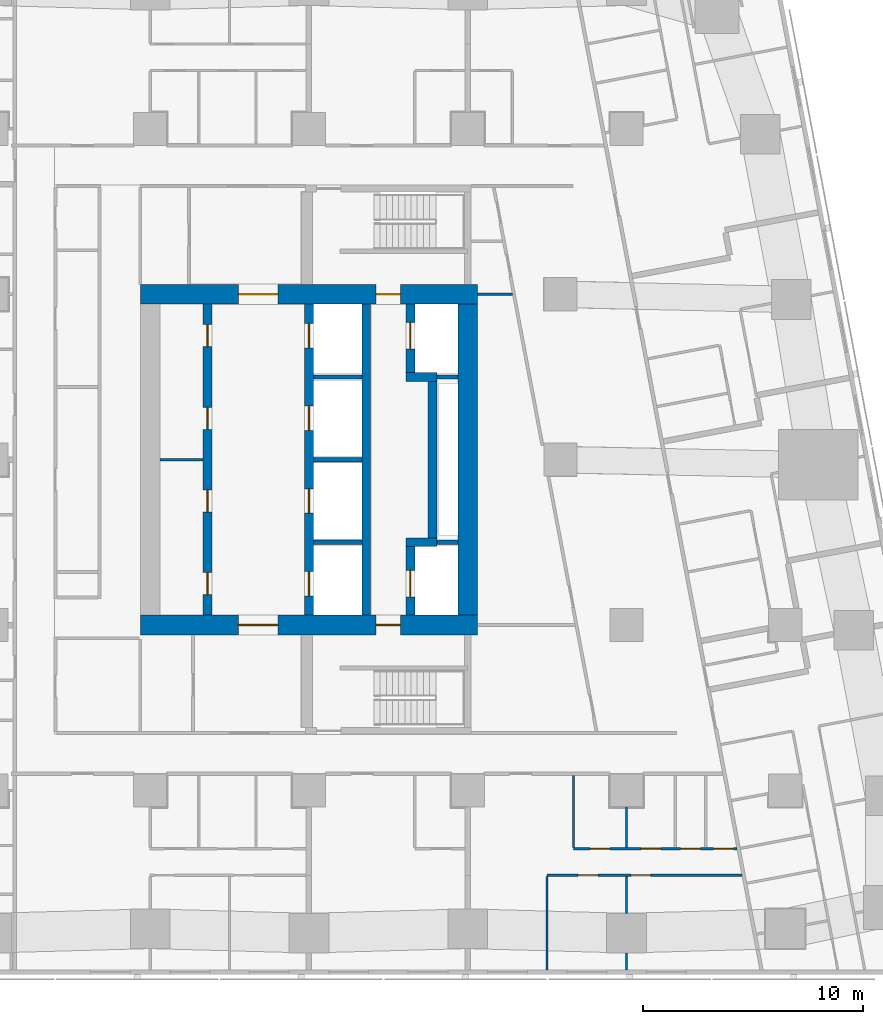
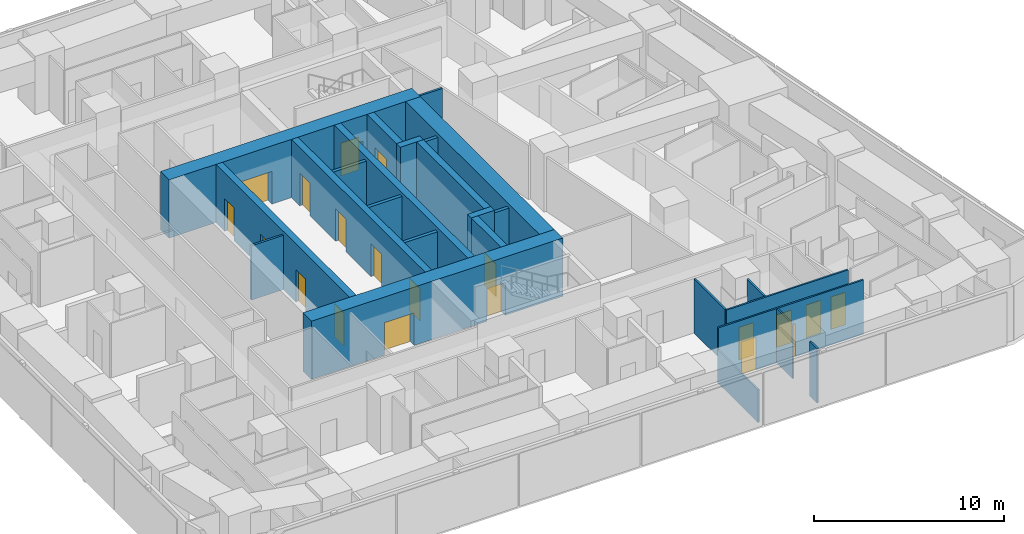
# One storey, part 5 of 15: 25 walls, 20 doors, 20 openings.
"""IFC4 building model written with IfcOpenShell, lengths in metres."""

import ifcopenshell
import ifcopenshell.guid

model = None  # the IFC model being written
_history = None  # IfcOwnerHistory: only IFC2X3 demands one
_inside = {}  # id of a spatial element -> (the spatial element, [elements in it])
_under = {}  # id of a project, library or spatial element -> (it, [spatial elements below it])
_declared = {}  # id of a project -> (the project, [libraries it declares])
_typed = {}  # id of a type object -> (the type object, [elements of that type])
_made_of = {}  # id of a material, layer set ... -> (it, [elements and type objects made of it])


def new_model(schema):
    """Start an empty IFC model of exactly this schema.

    Asked for "IFC4X3", IfcOpenShell would pick the latest addendum, in which some entities
    have other attributes; the version numbers below select the first issue.
    IFC2X3 requires an IfcOwnerHistory on every rooted entity: one is made here for all.
    """
    global model, _history
    if schema == "IFC4X3":
        model = ifcopenshell.file(schema_version=(4, 3, 0, 0))
    else:
        model = ifcopenshell.file(schema=schema)
    _inside.clear()
    _under.clear()
    _declared.clear()
    _typed.clear()
    _made_of.clear()
    _history = None
    if model.schema == "IFC2X3":
        org = make("IfcOrganization", Name="unknown")
        user = make(
            "IfcPersonAndOrganization",
            ThePerson=make("IfcPerson", FamilyName="unknown"),
            TheOrganization=org,
        )
        app = make(
            "IfcApplication",
            ApplicationDeveloper=org,
            Version="unknown",
            ApplicationFullName="unknown",
            ApplicationIdentifier="unknown",
        )
        _history = make(
            "IfcOwnerHistory",
            OwningUser=user,
            OwningApplication=app,
            ChangeAction="ADDED",
            CreationDate=0,
        )
    return model


def make(cls, **values):
    """One entity of the class cls with the attributes given. An attribute that is None is left unset."""
    return model.create_entity(
        cls, **{name: value for name, value in values.items() if value is not None}
    )


def rooted(cls, **values):
    """An entity with a GlobalId (a new one), such as an element, a storey or a relation."""
    return make(cls, GlobalId=ifcopenshell.guid.new(), OwnerHistory=_history, **values)


def si_unit(unit_type, name, prefix=None):
    """IfcSIUnit, for example si_unit("LENGTHUNIT", "METRE", prefix="MILLI")."""
    return make("IfcSIUnit", UnitType=unit_type, Prefix=prefix, Name=name)


def assignment(units):
    """IfcUnitAssignment: the units of a project."""
    return None if units is None else make("IfcUnitAssignment", Units=units)


def point(xyz):
    """IfcCartesianPoint."""
    return None if xyz is None else make("IfcCartesianPoint", Coordinates=xyz)


def direction(xyz):
    """IfcDirection."""
    return None if xyz is None else make("IfcDirection", DirectionRatios=xyz)


def frame(location, z_axis=None, x_axis=None):
    """IfcAxis2Placement3D, a coordinate frame: its origin and axes. An axis left out is left unset."""
    return make(
        "IfcAxis2Placement3D",
        Location=point(location),
        Axis=direction(z_axis),
        RefDirection=direction(x_axis),
    )


def frame_2d(location, x_axis=None):
    """IfcAxis2Placement2D, a coordinate frame in the plane: its origin and x axis."""
    return make(
        "IfcAxis2Placement2D", Location=point(location), RefDirection=direction(x_axis)
    )


def origin():
    """The frame at (0, 0, 0) with its axes left unset."""
    return frame((0.0, 0.0, 0.0))


def place(relative_to, where):
    """IfcLocalPlacement: puts the frame where relative to a parent placement (None: the world)."""
    return make(
        "IfcLocalPlacement", PlacementRelTo=relative_to, RelativePlacement=where
    )


def context(
    kind, dimensions, precision=None, world=None, true_north=None, identifier=None
):
    """IfcGeometricRepresentationContext, for example the 3D "Model" context."""
    return make(
        "IfcGeometricRepresentationContext",
        ContextIdentifier=identifier,
        ContextType=kind,
        CoordinateSpaceDimension=dimensions,
        Precision=precision,
        WorldCoordinateSystem=world,
        TrueNorth=true_north,
    )


def subcontext(parent, identifier, kind, view, scale=None):
    """IfcGeometricRepresentationSubContext, for example "Body" below "Model"."""
    return make(
        "IfcGeometricRepresentationSubContext",
        ContextIdentifier=identifier,
        ContextType=kind,
        ParentContext=parent,
        TargetScale=scale,
        TargetView=view,
    )


def project(units=None, contexts=None):
    """IfcProject with its units and contexts."""
    return rooted(
        "IfcProject",
        Name="project",
        RepresentationContexts=contexts,
        UnitsInContext=assignment(units),
    )


def spatial(cls, under=None, at=None, **own):
    """A site, building, storey or space (cls), placed at a placement, below another one or the project."""
    s = rooted(cls, ObjectPlacement=at, **own)
    if under is not None:
        _under.setdefault(under.id(), (under, []))[1].append(s)
    return s


def profile(cls, at=None, kind="AREA", **sizes):
    """A parametric profile (cls). Its sizes go by their IFC names, for example OverallWidth=200.0."""
    return make(cls, ProfileType=kind, Position=at, **sizes)


def rectangle(**sizes):
    """IfcRectangleProfileDef."""
    return profile("IfcRectangleProfileDef", **sizes)


def extrude(swept, where, along, depth):
    """IfcExtrudedAreaSolid: the profile swept, set in the frame where, extruded along a direction by depth."""
    return make(
        "IfcExtrudedAreaSolid",
        SweptArea=swept,
        Position=where,
        ExtrudedDirection=direction(along),
        Depth=depth,
    )


def shape(context_of_items, identifier, shape_type, items):
    """IfcShapeRepresentation: the items that make up one representation, for example the "Body"."""
    return make(
        "IfcShapeRepresentation",
        ContextOfItems=context_of_items,
        RepresentationIdentifier=identifier,
        RepresentationType=shape_type,
        Items=items,
    )


def material(Name=None, Category=None):
    """IfcMaterial."""
    return make("IfcMaterial", Name=Name, Category=Category)


def layer(
    of_material, thickness, ventilated=None, Name=None, Category=None, Priority=None
):
    """IfcMaterialLayer: one layer of a wall or slab, of a material (None: an air gap)."""
    return make(
        "IfcMaterialLayer",
        Material=of_material,
        LayerThickness=thickness,
        IsVentilated=ventilated,
        Name=Name,
        Category=Category,
        Priority=Priority,
    )


def layer_set(layers, Name=None):
    """IfcMaterialLayerSet."""
    return make("IfcMaterialLayerSet", MaterialLayers=layers, LayerSetName=Name)


def made_of(thing, what):
    """Note that an element or type object is made of a material, layer set ...; save() writes the relation."""
    if what is not None:
        _made_of.setdefault(what.id(), (what, []))[1].append(thing)
    return thing


def type_object(cls, material=None, **own):
    """A type object (cls), such as IfcWallType, which elements share."""
    return made_of(rooted(cls, **own), material)


def element(
    cls,
    number,
    at=None,
    inside=None,
    cuts=None,
    type_object=None,
    material=None,
    context=None,
    identifier="Body",
    shape_type=None,
    held_by="IfcProductDefinitionShape",
    body=None,
    shapes=None,
    **own,
):
    """One element of the class cls, such as IfcWall. Its Tag is "e" and its number.

    at: its placement. inside: the storey or other place that contains it. cuts: it is an
    opening in that element (IfcRelVoidsElement). A single representation is given by context,
    identifier, shape_type and body (its items); several are given by shapes. held_by: the class
    of the entity that holds the representations. save() writes the other relations.
    """
    e = rooted(cls, Tag="e%d" % number, ObjectPlacement=at, **own)
    if body is not None:
        shapes = [shape(context, identifier, shape_type, body)]
    if shapes is not None:
        e.Representation = make(held_by, Representations=shapes)
    if inside is not None:
        _inside.setdefault(inside.id(), (inside, []))[1].append(e)
    if cuts is not None:
        rooted(
            "IfcRelVoidsElement", RelatingBuildingElement=cuts, RelatedOpeningElement=e
        )
    if type_object is not None:
        _typed.setdefault(type_object.id(), (type_object, []))[1].append(e)
    return made_of(e, material)


def fill(opening, filler):
    """IfcRelFillsElement: the door or window that sits in an opening."""
    return rooted(
        "IfcRelFillsElement",
        RelatingOpeningElement=opening,
        RelatedBuildingElement=filler,
    )


def aggregate(whole, parts):
    """IfcRelAggregates: a whole, such as a stair, and the parts it consists of."""
    return rooted("IfcRelAggregates", RelatingObject=whole, RelatedObjects=parts)


def save(model, path):
    """Write the relations noted so far, then the file.

    IfcRelAggregates (storeys below a building ...), IfcRelContainedInSpatialStructure (elements
    in a storey), IfcRelDefinesByType, IfcRelAssociatesMaterial and IfcRelDeclares: one each for
    every whole, place, type object, material and project.
    """
    for whole, parts in _under.values():
        aggregate(whole, parts)
    for where, things in _inside.values():
        rooted(
            "IfcRelContainedInSpatialStructure",
            RelatedElements=things,
            RelatingStructure=where,
        )
    for kind, things in _typed.values():
        rooted("IfcRelDefinesByType", RelatedObjects=things, RelatingType=kind)
    for what, things in _made_of.values():
        rooted("IfcRelAssociatesMaterial", RelatedObjects=things, RelatingMaterial=what)
    for by, libraries in _declared.values():
        rooted("IfcRelDeclares", RelatingContext=by, RelatedDefinitions=libraries)
    model.write(path)


model = new_model("IFC4")

# Units and contexts
model_context = context("Model", 3, precision=1e-05, world=origin(), true_north=direction((0.0, 1.0)))
body_context = subcontext(model_context, "Body", "Model", "MODEL_VIEW")
ifc_project = project(units=[si_unit("LENGTHUNIT", "METRE"), si_unit("AREAUNIT", "SQUARE_METRE"), si_unit("VOLUMEUNIT", "CUBIC_METRE"), si_unit("PLANEANGLEUNIT", "RADIAN"), si_unit("MASSUNIT", "GRAM", prefix="KILO")], contexts=[model_context])

# Site, building, storey
site_placement = place(None, origin())
site = spatial("IfcSite", under=ifc_project, at=site_placement, CompositionType="ELEMENT")
building_placement = place(site_placement, origin())
building = spatial("IfcBuilding", under=site, at=building_placement, Name="Sheger Commons Tower", CompositionType="ELEMENT")
storey_placement = place(building_placement, frame((0.0, 0.0, 169.550048828125)))
storey = spatial("IfcBuildingStorey", under=building, at=storey_placement, Name="L43", CompositionType="ELEMENT", Elevation=169.550048828125)

# Wall, openings, doors
ifc_material_1 = material(Name="Concrete C50/60", Category="concrete")
ifc_layer_1 = layer(ifc_material_1, 0.39990234375)
ifc_layer_set_1 = layer_set([ifc_layer_1], Name="CORE INNER WALL 400")
wall_type_1 = type_object("IfcWallType", Name="CORE INNER WALL 400", PredefinedType="SHEAR", material=ifc_layer_set_1)
wall_1_placement = place(storey_placement, frame((17.0, 15.449951171875, 0.0), z_axis=(0.0, 0.0, 1.0), x_axis=(0.0, 1.0, 0.0)))
wall_1 = element("IfcWall", 1, at=wall_1_placement, inside=storey, type_object=wall_type_1, Name="Core inner wall A L43", PredefinedType="SHEAR", context=body_context, shape_type="SweptSolid", body=[
    extrude(rectangle(XDim=14.10009765625, YDim=0.39990234375, at=frame_2d((7.050048828125, 0.0))), origin(), (0.0, 0.0, 1.0), 3.75),
])
opening_1_placement = place(wall_1_placement, frame((0.925048828125, 0.0, 0.0)))
opening_1 = element("IfcOpeningElement", 2, at=opening_1_placement, cuts=wall_1, Name="Opening D4", PredefinedType="OPENING", context=body_context, shape_type="SweptSolid", body=[
    extrude(rectangle(XDim=1.0, YDim=2.10009765625, at=frame_2d((0.5, 1.050048828125))), frame((0.0, 0.2099609375, 0.0), z_axis=(0.0, -1.0, 0.0), x_axis=(1.0, 0.0, 0.0)), (0.0, 0.0, 1.0), 0.419921875),
])
opening_2_placement = place(wall_1_placement, frame((4.675048828125, 0.0, 0.0)))
opening_2 = element("IfcOpeningElement", 3, at=opening_2_placement, cuts=wall_1, Name="Opening D4", PredefinedType="OPENING", context=body_context, shape_type="SweptSolid", body=[
    extrude(rectangle(XDim=1.0, YDim=2.10009765625, at=frame_2d((0.5, 1.050048828125))), frame((0.0, 0.2099609375, 0.0), z_axis=(0.0, -1.0, 0.0), x_axis=(1.0, 0.0, 0.0)), (0.0, 0.0, 1.0), 0.419921875),
])
opening_3_placement = place(wall_1_placement, frame((8.425048828125, 0.0, 0.0)))
opening_3 = element("IfcOpeningElement", 4, at=opening_3_placement, cuts=wall_1, Name="Opening D4", PredefinedType="OPENING", context=body_context, shape_type="SweptSolid", body=[
    extrude(rectangle(XDim=1.0, YDim=2.10009765625, at=frame_2d((0.5, 1.050048828125))), frame((0.0, 0.2099609375, 0.0), z_axis=(0.0, -1.0, 0.0), x_axis=(1.0, 0.0, 0.0)), (0.0, 0.0, 1.0), 0.419921875),
])
opening_4_placement = place(wall_1_placement, frame((12.175048828125, 0.0, 0.0)))
opening_4 = element("IfcOpeningElement", 5, at=opening_4_placement, cuts=wall_1, Name="Opening D4", PredefinedType="OPENING", context=body_context, shape_type="SweptSolid", body=[
    extrude(rectangle(XDim=1.0, YDim=2.10009765625, at=frame_2d((0.5, 1.050048828125))), frame((0.0, 0.2099609375, 0.0), z_axis=(0.0, -1.0, 0.0), x_axis=(1.0, 0.0, 0.0)), (0.0, 0.0, 1.0), 0.419921875),
])
ifc_material_2 = material(Name="Steel door set, fire rated", Category="steel")
door_type_1 = type_object("IfcDoorType", Name="SERVICE DOOR 1000x2100", OperationType="NOTDEFINED", PredefinedType="DOOR", material=ifc_material_2)
door_1_placement = place(opening_1_placement, origin())
door_1 = element("IfcDoor", 6, at=door_1_placement, inside=storey, type_object=door_type_1, Name="Estate store door", OperationType="SINGLE_SWING_LEFT", OverallHeight=2.10009765625, OverallWidth=1.0, PredefinedType="DOOR", context=body_context, shape_type="SweptSolid", body=[
    extrude(rectangle(XDim=1.0, YDim=2.10009765625, at=frame_2d((0.5, 1.050048828125))), frame((0.0, 0.02490234375, 0.0), z_axis=(0.0, -1.0, 0.0), x_axis=(1.0, 0.0, 0.0)), (0.0, 0.0, 1.0), 0.050048828125),
])
fill(opening_1, door_1)
door_2_placement = place(opening_2_placement, origin())
door_2 = element("IfcDoor", 7, at=door_2_placement, inside=storey, type_object=door_type_1, Name="Estate store door", OperationType="SINGLE_SWING_RIGHT", OverallHeight=2.10009765625, OverallWidth=1.0, PredefinedType="DOOR", context=body_context, shape_type="SweptSolid", body=[
    extrude(rectangle(XDim=1.0, YDim=2.10009765625, at=frame_2d((0.5, 1.050048828125))), frame((0.0, 0.02490234375, 0.0), z_axis=(0.0, -1.0, 0.0), x_axis=(1.0, 0.0, 0.0)), (0.0, 0.0, 1.0), 0.050048828125),
])
fill(opening_2, door_2)
door_3_placement = place(opening_3_placement, origin())
door_3 = element("IfcDoor", 8, at=door_3_placement, inside=storey, type_object=door_type_1, Name="Electrical switch room door", OperationType="SINGLE_SWING_LEFT", OverallHeight=2.10009765625, OverallWidth=1.0, PredefinedType="DOOR", context=body_context, shape_type="SweptSolid", body=[
    extrude(rectangle(XDim=1.0, YDim=2.10009765625, at=frame_2d((0.5, 1.050048828125))), frame((0.0, 0.02490234375, 0.0), z_axis=(0.0, -1.0, 0.0), x_axis=(1.0, 0.0, 0.0)), (0.0, 0.0, 1.0), 0.050048828125),
])
fill(opening_3, door_3)
door_4_placement = place(opening_4_placement, origin())
door_4 = element("IfcDoor", 9, at=door_4_placement, inside=storey, type_object=door_type_1, Name="Electrical switch room door", OperationType="SINGLE_SWING_RIGHT", OverallHeight=2.10009765625, OverallWidth=1.0, PredefinedType="DOOR", context=body_context, shape_type="SweptSolid", body=[
    extrude(rectangle(XDim=1.0, YDim=2.10009765625, at=frame_2d((0.5, 1.050048828125))), frame((0.0, 0.02490234375, 0.0), z_axis=(0.0, -1.0, 0.0), x_axis=(1.0, 0.0, 0.0)), (0.0, 0.0, 1.0), 0.050048828125),
])
fill(opening_4, door_4)

wall_2_placement = place(storey_placement, frame((21.60009765625, 15.449951171875, 0.0), z_axis=(0.0, 0.0, 1.0), x_axis=(0.0, 1.0, 0.0)))
wall_2 = element("IfcWall", 10, at=wall_2_placement, inside=storey, type_object=wall_type_1, Name="Core inner wall L L43", PredefinedType="SHEAR", context=body_context, shape_type="SweptSolid", body=[
    extrude(rectangle(XDim=14.10009765625, YDim=0.39990234375, at=frame_2d((7.050048828125, 0.0))), origin(), (0.0, 0.0, 1.0), 3.75),
])
opening_5_placement = place(wall_2_placement, frame((0.875, 0.0, 0.0)))
opening_5 = element("IfcOpeningElement", 11, at=opening_5_placement, cuts=wall_2, Name="Opening LD", PredefinedType="OPENING", context=body_context, shape_type="SweptSolid", body=[
    extrude(rectangle(XDim=1.10009765625, YDim=2.10009765625, at=frame_2d((0.550048828125, 1.050048828125))), frame((0.0, 0.2099609375, 0.0), z_axis=(0.0, -1.0, 0.0), x_axis=(1.0, 0.0, 0.0)), (0.0, 0.0, 1.0), 0.419921875),
])
opening_6_placement = place(wall_2_placement, frame((4.625, 0.0, 0.0)))
opening_6 = element("IfcOpeningElement", 12, at=opening_6_placement, cuts=wall_2, Name="Opening LD", PredefinedType="OPENING", context=body_context, shape_type="SweptSolid", body=[
    extrude(rectangle(XDim=1.10009765625, YDim=2.10009765625, at=frame_2d((0.550048828125, 1.050048828125))), frame((0.0, 0.2099609375, 0.0), z_axis=(0.0, -1.0, 0.0), x_axis=(1.0, 0.0, 0.0)), (0.0, 0.0, 1.0), 0.419921875),
])
opening_7_placement = place(wall_2_placement, frame((8.375, 0.0, 0.0)))
opening_7 = element("IfcOpeningElement", 13, at=opening_7_placement, cuts=wall_2, Name="Opening LD", PredefinedType="OPENING", context=body_context, shape_type="SweptSolid", body=[
    extrude(rectangle(XDim=1.10009765625, YDim=2.10009765625, at=frame_2d((0.550048828125, 1.050048828125))), frame((0.0, 0.2099609375, 0.0), z_axis=(0.0, -1.0, 0.0), x_axis=(1.0, 0.0, 0.0)), (0.0, 0.0, 1.0), 0.419921875),
])
opening_8_placement = place(wall_2_placement, frame((12.125, 0.0, 0.0)))
opening_8 = element("IfcOpeningElement", 14, at=opening_8_placement, cuts=wall_2, Name="Opening LD", PredefinedType="OPENING", context=body_context, shape_type="SweptSolid", body=[
    extrude(rectangle(XDim=1.10009765625, YDim=2.10009765625, at=frame_2d((0.550048828125, 1.050048828125))), frame((0.0, 0.2099609375, 0.0), z_axis=(0.0, -1.0, 0.0), x_axis=(1.0, 0.0, 0.0)), (0.0, 0.0, 1.0), 0.419921875),
])
ifc_material_3 = material(Name="Steel door set, fire rated", Category="steel")
door_type_2 = type_object("IfcDoorType", Name="LIFT LANDING DOOR 1100x2100", OperationType="DOUBLE_DOOR_SLIDING", PredefinedType="DOOR", material=ifc_material_3)
door_5_placement = place(opening_5_placement, origin())
door_5 = element("IfcDoor", 15, at=door_5_placement, inside=storey, type_object=door_type_2, Name="Lift LB1 landing door", OperationType="DOUBLE_DOOR_SLIDING", OverallHeight=2.10009765625, OverallWidth=1.10009765625, PredefinedType="DOOR", context=body_context, shape_type="SweptSolid", body=[
    extrude(rectangle(XDim=1.10009765625, YDim=2.10009765625, at=frame_2d((0.550048828125, 1.050048828125))), frame((0.0, 0.02490234375, 0.0), z_axis=(0.0, -1.0, 0.0), x_axis=(1.0, 0.0, 0.0)), (0.0, 0.0, 1.0), 0.050048828125),
])
fill(opening_5, door_5)
door_6_placement = place(opening_6_placement, origin())
door_6 = element("IfcDoor", 16, at=door_6_placement, inside=storey, type_object=door_type_2, Name="Lift LB2 landing door", OperationType="DOUBLE_DOOR_SLIDING", OverallHeight=2.10009765625, OverallWidth=1.10009765625, PredefinedType="DOOR", context=body_context, shape_type="SweptSolid", body=[
    extrude(rectangle(XDim=1.10009765625, YDim=2.10009765625, at=frame_2d((0.550048828125, 1.050048828125))), frame((0.0, 0.02490234375, 0.0), z_axis=(0.0, -1.0, 0.0), x_axis=(1.0, 0.0, 0.0)), (0.0, 0.0, 1.0), 0.050048828125),
])
fill(opening_6, door_6)
door_7_placement = place(opening_7_placement, origin())
door_7 = element("IfcDoor", 17, at=door_7_placement, inside=storey, type_object=door_type_2, Name="Lift LB3 landing door", OperationType="DOUBLE_DOOR_SLIDING", OverallHeight=2.10009765625, OverallWidth=1.10009765625, PredefinedType="DOOR", context=body_context, shape_type="SweptSolid", body=[
    extrude(rectangle(XDim=1.10009765625, YDim=2.10009765625, at=frame_2d((0.550048828125, 1.050048828125))), frame((0.0, 0.02490234375, 0.0), z_axis=(0.0, -1.0, 0.0), x_axis=(1.0, 0.0, 0.0)), (0.0, 0.0, 1.0), 0.050048828125),
])
fill(opening_7, door_7)
door_8_placement = place(opening_8_placement, origin())
door_8 = element("IfcDoor", 18, at=door_8_placement, inside=storey, type_object=door_type_2, Name="Lift LB4 landing door", OperationType="DOUBLE_DOOR_SLIDING", OverallHeight=2.10009765625, OverallWidth=1.10009765625, PredefinedType="DOOR", context=body_context, shape_type="SweptSolid", body=[
    extrude(rectangle(XDim=1.10009765625, YDim=2.10009765625, at=frame_2d((0.550048828125, 1.050048828125))), frame((0.0, 0.02490234375, 0.0), z_axis=(0.0, -1.0, 0.0), x_axis=(1.0, 0.0, 0.0)), (0.0, 0.0, 1.0), 0.050048828125),
])
fill(opening_8, door_8)

# Wall
wall_3_placement = place(storey_placement, frame((24.199951171875, 15.449951171875, 0.0), z_axis=(0.0, 0.0, 1.0), x_axis=(0.0, 1.0, 0.0)))
element("IfcWall", 19, at=wall_3_placement, inside=storey, type_object=wall_type_1, Name="Core inner wall B L43", PredefinedType="SHEAR", context=body_context, shape_type="SweptSolid", body=[
    extrude(rectangle(XDim=14.10009765625, YDim=0.39990234375, at=frame_2d((7.050048828125, 0.0))), origin(), (0.0, 0.0, 1.0), 3.75),
])

# Wall, opening, door
wall_4_placement = place(storey_placement, frame((26.199951171875, 15.449951171875, 0.0), z_axis=(0.0, 0.0, 1.0), x_axis=(0.0, 1.0, 0.0)))
wall_4 = element("IfcWall", 20, at=wall_4_placement, inside=storey, type_object=wall_type_1, Name="Core inner wall F L43", PredefinedType="SHEAR", context=body_context, shape_type="SweptSolid", body=[
    extrude(rectangle(XDim=3.10009765625, YDim=0.39990234375, at=frame_2d((1.550048828125, 0.0))), origin(), (0.0, 0.0, 1.0), 3.75),
])
opening_9_placement = place(wall_4_placement, frame((0.824951171875, 0.0, 0.0)))
opening_9 = element("IfcOpeningElement", 21, at=opening_9_placement, cuts=wall_4, Name="Opening LD2", PredefinedType="OPENING", context=body_context, shape_type="SweptSolid", body=[
    extrude(rectangle(XDim=1.199951171875, YDim=2.10009765625, at=frame_2d((0.60009765625, 1.050048828125))), frame((0.0, 0.2099609375, 0.0), z_axis=(0.0, -1.0, 0.0), x_axis=(1.0, 0.0, 0.0)), (0.0, 0.0, 1.0), 0.419921875),
])
ifc_material_4 = material(Name="Steel door set, fire rated", Category="steel")
door_type_3 = type_object("IfcDoorType", Name="FIREFIGHTING LIFT LANDING DOOR 1200x2100", OperationType="DOUBLE_DOOR_SLIDING", PredefinedType="DOOR", material=ifc_material_4)
door_9_placement = place(opening_9_placement, origin())
door_9 = element("IfcDoor", 22, at=door_9_placement, inside=storey, type_object=door_type_3, Name="Lift FL1 landing door", OperationType="DOUBLE_DOOR_SLIDING", OverallHeight=2.10009765625, OverallWidth=1.199951171875, PredefinedType="DOOR", context=body_context, shape_type="SweptSolid", body=[
    extrude(rectangle(XDim=1.199951171875, YDim=2.10009765625, at=frame_2d((0.60009765625, 1.050048828125))), frame((0.0, 0.02490234375, 0.0), z_axis=(0.0, -1.0, 0.0), x_axis=(1.0, 0.0, 0.0)), (0.0, 0.0, 1.0), 0.050048828125),
])
fill(opening_9, door_9)

# Walls
wall_5_placement = place(storey_placement, frame((26.0, 18.75, 0.0), z_axis=(0.0, 0.0, 1.0), x_axis=(1.0, 0.0, 0.0)))
element("IfcWall", 23, at=wall_5_placement, inside=storey, type_object=wall_type_1, Name="Core inner wall F south return L43", PredefinedType="SHEAR", context=body_context, shape_type="SweptSolid", body=[
    extrude(rectangle(XDim=1.39990234375, YDim=0.39990234375, at=frame_2d((0.699951171875, 0.0))), origin(), (0.0, 0.0, 1.0), 3.75),
])
wall_6_placement = place(storey_placement, frame((27.199951171875, 18.949951171875, 0.0), z_axis=(0.0, 0.0, 1.0), x_axis=(0.0, 1.0, 0.0)))
element("IfcWall", 24, at=wall_6_placement, inside=storey, type_object=wall_type_1, Name="Core inner wall F middle L43", PredefinedType="SHEAR", context=body_context, shape_type="SweptSolid", body=[
    extrude(rectangle(XDim=7.10009765625, YDim=0.39990234375, at=frame_2d((3.550048828125, 0.0))), origin(), (0.0, 0.0, 1.0), 3.75),
])
wall_7_placement = place(storey_placement, frame((26.0, 26.25, 0.0), z_axis=(0.0, 0.0, 1.0), x_axis=(1.0, 0.0, 0.0)))
element("IfcWall", 25, at=wall_7_placement, inside=storey, type_object=wall_type_1, Name="Core inner wall F north return L43", PredefinedType="SHEAR", context=body_context, shape_type="SweptSolid", body=[
    extrude(rectangle(XDim=1.39990234375, YDim=0.39990234375, at=frame_2d((0.699951171875, 0.0))), origin(), (0.0, 0.0, 1.0), 3.75),
])

# Wall, opening, door
wall_8_placement = place(storey_placement, frame((26.199951171875, 26.449951171875, 0.0), z_axis=(0.0, 0.0, 1.0), x_axis=(0.0, 1.0, 0.0)))
wall_8 = element("IfcWall", 26, at=wall_8_placement, inside=storey, type_object=wall_type_1, Name="Core inner wall F north L43", PredefinedType="SHEAR", context=body_context, shape_type="SweptSolid", body=[
    extrude(rectangle(XDim=3.10009765625, YDim=0.39990234375, at=frame_2d((1.550048828125, 0.0))), origin(), (0.0, 0.0, 1.0), 3.75),
])
opening_10_placement = place(wall_8_placement, frame((1.074951171875, 0.0, 0.0)))
opening_10 = element("IfcOpeningElement", 27, at=opening_10_placement, cuts=wall_8, Name="Opening LD2", PredefinedType="OPENING", context=body_context, shape_type="SweptSolid", body=[
    extrude(rectangle(XDim=1.199951171875, YDim=2.10009765625, at=frame_2d((0.60009765625, 1.050048828125))), frame((0.0, 0.2099609375, 0.0), z_axis=(0.0, -1.0, 0.0), x_axis=(1.0, 0.0, 0.0)), (0.0, 0.0, 1.0), 0.419921875),
])
door_10_placement = place(opening_10_placement, origin())
door_10 = element("IfcDoor", 28, at=door_10_placement, inside=storey, type_object=door_type_3, Name="Lift FL2 landing door", OperationType="DOUBLE_DOOR_SLIDING", OverallHeight=2.10009765625, OverallWidth=1.199951171875, PredefinedType="DOOR", context=body_context, shape_type="SweptSolid", body=[
    extrude(rectangle(XDim=1.199951171875, YDim=2.10009765625, at=frame_2d((0.60009765625, 1.050048828125))), frame((0.0, 0.02490234375, 0.0), z_axis=(0.0, -1.0, 0.0), x_axis=(1.0, 0.0, 0.0)), (0.0, 0.0, 1.0), 0.050048828125),
])
fill(opening_10, door_10)

# Wall, openings, doors
ifc_material_5 = material(Name="Concrete C50/60", Category="concrete")
ifc_layer_2 = layer(ifc_material_5, 0.89990234375)
ifc_layer_set_2 = layer_set([ifc_layer_2], Name="CORE WALL 900")
wall_type_2 = type_object("IfcWallType", Name="CORE WALL 900", PredefinedType="SHEAR", material=ifc_layer_set_2)
wall_9_placement = place(storey_placement, frame((13.949951171875, 15.0, 0.0), z_axis=(0.0, 0.0, 1.0), x_axis=(1.0, 0.0, 0.0)))
wall_9 = element("IfcWall", 29, at=wall_9_placement, inside=storey, type_object=wall_type_2, Name="Core wall south L43", PredefinedType="SHEAR", context=body_context, shape_type="SweptSolid", body=[
    extrude(rectangle(XDim=15.300048828125, YDim=0.89990234375, at=frame_2d((7.64990234375, 0.0))), origin(), (0.0, 0.0, 1.0), 3.75),
])
opening_11_placement = place(wall_9_placement, frame((4.449951171875, 0.0, 0.0)))
opening_11 = element("IfcOpeningElement", 30, at=opening_11_placement, cuts=wall_9, Name="Opening D6", PredefinedType="OPENING", context=body_context, shape_type="SweptSolid", body=[
    extrude(rectangle(XDim=1.800048828125, YDim=2.10009765625, at=frame_2d((0.89990234375, 1.050048828125))), frame((0.0, 0.4599609375, 0.0), z_axis=(0.0, -1.0, 0.0), x_axis=(1.0, 0.0, 0.0)), (0.0, 0.0, 1.0), 0.919921875),
])
opening_12_placement = place(wall_9_placement, frame((10.699951171875, 0.0, 0.0)))
opening_12 = element("IfcOpeningElement", 31, at=opening_12_placement, cuts=wall_9, Name="Opening D5", PredefinedType="OPENING", context=body_context, shape_type="SweptSolid", body=[
    extrude(rectangle(XDim=1.10009765625, YDim=2.10009765625, at=frame_2d((0.550048828125, 1.050048828125))), frame((0.0, 0.4599609375, 0.0), z_axis=(0.0, -1.0, 0.0), x_axis=(1.0, 0.0, 0.0)), (0.0, 0.0, 1.0), 0.919921875),
])
ifc_material_6 = material(Name="Steel door set, fire rated", Category="steel")
door_type_4 = type_object("IfcDoorType", Name="LOBBY DOUBLE DOOR 1800x2100", OperationType="DOUBLE_DOOR_SINGLE_SWING", PredefinedType="DOOR", material=ifc_material_6)
door_11_placement = place(opening_11_placement, origin())
door_11 = element("IfcDoor", 32, at=door_11_placement, inside=storey, type_object=door_type_4, Name="Lift lobby door", OperationType="DOUBLE_DOOR_SINGLE_SWING", OverallHeight=2.10009765625, OverallWidth=1.800048828125, PredefinedType="DOOR", context=body_context, shape_type="SweptSolid", body=[
    extrude(rectangle(XDim=1.800048828125, YDim=2.10009765625, at=frame_2d((0.89990234375, 1.050048828125))), frame((0.0, 0.02490234375, 0.0), z_axis=(0.0, -1.0, 0.0), x_axis=(1.0, 0.0, 0.0)), (0.0, 0.0, 1.0), 0.050048828125),
])
fill(opening_11, door_11)
ifc_material_7 = material(Name="Steel door set, fire rated", Category="steel")
door_type_5 = type_object("IfcDoorType", Name="STAIR DOOR 1100x2100", OperationType="NOTDEFINED", PredefinedType="DOOR", material=ifc_material_7)
door_12_placement = place(opening_12_placement, origin())
door_12 = element("IfcDoor", 33, at=door_12_placement, inside=storey, type_object=door_type_5, Name="Fire-fighting lobby door", OperationType="SINGLE_SWING_RIGHT", OverallHeight=2.10009765625, OverallWidth=1.10009765625, PredefinedType="DOOR", context=body_context, shape_type="SweptSolid", body=[
    extrude(rectangle(XDim=1.10009765625, YDim=2.10009765625, at=frame_2d((0.550048828125, 1.050048828125))), frame((0.0, 0.02490234375, 0.0), z_axis=(0.0, -1.0, 0.0), x_axis=(1.0, 0.0, 0.0)), (0.0, 0.0, 1.0), 0.050048828125),
])
fill(opening_12, door_12)

wall_10_placement = place(storey_placement, frame((13.949951171875, 30.0, 0.0), z_axis=(0.0, 0.0, 1.0), x_axis=(1.0, 0.0, 0.0)))
wall_10 = element("IfcWall", 34, at=wall_10_placement, inside=storey, type_object=wall_type_2, Name="Core wall north L43", PredefinedType="SHEAR", context=body_context, shape_type="SweptSolid", body=[
    extrude(rectangle(XDim=15.300048828125, YDim=0.89990234375, at=frame_2d((7.64990234375, 0.0))), origin(), (0.0, 0.0, 1.0), 3.75),
])
opening_13_placement = place(wall_10_placement, frame((4.449951171875, 0.0, 0.0)))
opening_13 = element("IfcOpeningElement", 35, at=opening_13_placement, cuts=wall_10, Name="Opening D6", PredefinedType="OPENING", context=body_context, shape_type="SweptSolid", body=[
    extrude(rectangle(XDim=1.800048828125, YDim=2.10009765625, at=frame_2d((0.89990234375, 1.050048828125))), frame((0.0, 0.4599609375, 0.0), z_axis=(0.0, -1.0, 0.0), x_axis=(1.0, 0.0, 0.0)), (0.0, 0.0, 1.0), 0.919921875),
])
opening_14_placement = place(wall_10_placement, frame((10.699951171875, 0.0, 0.0)))
opening_14 = element("IfcOpeningElement", 36, at=opening_14_placement, cuts=wall_10, Name="Opening D5", PredefinedType="OPENING", context=body_context, shape_type="SweptSolid", body=[
    extrude(rectangle(XDim=1.10009765625, YDim=2.10009765625, at=frame_2d((0.550048828125, 1.050048828125))), frame((0.0, 0.4599609375, 0.0), z_axis=(0.0, -1.0, 0.0), x_axis=(1.0, 0.0, 0.0)), (0.0, 0.0, 1.0), 0.919921875),
])
door_13_placement = place(opening_13_placement, origin())
door_13 = element("IfcDoor", 37, at=door_13_placement, inside=storey, type_object=door_type_4, Name="Lift lobby door", OperationType="DOUBLE_DOOR_SINGLE_SWING", OverallHeight=2.10009765625, OverallWidth=1.800048828125, PredefinedType="DOOR", context=body_context, shape_type="SweptSolid", body=[
    extrude(rectangle(XDim=1.800048828125, YDim=2.10009765625, at=frame_2d((0.89990234375, 1.050048828125))), frame((0.0, 0.02490234375, 0.0), z_axis=(0.0, -1.0, 0.0), x_axis=(1.0, 0.0, 0.0)), (0.0, 0.0, 1.0), 0.050048828125),
])
fill(opening_13, door_13)
door_14_placement = place(opening_14_placement, origin())
door_14 = element("IfcDoor", 38, at=door_14_placement, inside=storey, type_object=door_type_5, Name="Fire-fighting lobby door", OperationType="SINGLE_SWING_RIGHT", OverallHeight=2.10009765625, OverallWidth=1.10009765625, PredefinedType="DOOR", context=body_context, shape_type="SweptSolid", body=[
    extrude(rectangle(XDim=1.10009765625, YDim=2.10009765625, at=frame_2d((0.550048828125, 1.050048828125))), frame((0.0, 0.02490234375, 0.0), z_axis=(0.0, -1.0, 0.0), x_axis=(1.0, 0.0, 0.0)), (0.0, 0.0, 1.0), 0.050048828125),
])
fill(opening_14, door_14)

# Wall
wall_11_placement = place(storey_placement, frame((28.800048828125, 15.449951171875, 0.0), z_axis=(0.0, 0.0, 1.0), x_axis=(0.0, 1.0, 0.0)))
element("IfcWall", 39, at=wall_11_placement, inside=storey, type_object=wall_type_2, Name="Core wall east L43", PredefinedType="SHEAR", context=body_context, shape_type="SweptSolid", body=[
    extrude(rectangle(XDim=14.10009765625, YDim=0.89990234375, at=frame_2d((7.050048828125, 0.0))), origin(), (0.0, 0.0, 1.0), 3.75),
])

# Wall, openings, doors
ifc_material_8 = material(Name="Gypsum board on steel studs", Category="steel")
ifc_layer_3 = layer(ifc_material_8, 0.10009765625)
ifc_layer_set_3 = layer_set([ifc_layer_3], Name="PARTITION 100")
wall_type_3 = type_object("IfcWallType", Name="PARTITION 100", PredefinedType="PARTITIONING", material=ifc_layer_set_3)
wall_12_placement = place(storey_placement, frame((41.22900390625, 3.64990234375, 0.0), z_axis=(0.0, 0.0, 1.0), x_axis=(-1.0, 0.0, 0.0)))
wall_12 = element("IfcWall", 40, at=wall_12_placement, inside=storey, type_object=wall_type_3, Name="Partition L43", PredefinedType="PARTITIONING", context=body_context, shape_type="SweptSolid", body=[
    extrude(rectangle(XDim=8.8291015625, YDim=0.10009765625, at=frame_2d((4.41455078125, 0.0))), origin(), (0.0, 0.0, 1.0), 3.5),
])
opening_15_placement = place(wall_12_placement, frame((6.530029296875, 0.0, 0.0)))
opening_15 = element("IfcOpeningElement", 41, at=opening_15_placement, cuts=wall_12, Name="Opening D2", PredefinedType="OPENING", context=body_context, shape_type="SweptSolid", body=[
    extrude(rectangle(XDim=0.89990234375, YDim=2.10009765625, at=frame_2d((0.449951171875, 1.050048828125))), frame((0.0, 0.06005859375, 0.0), z_axis=(0.0, -1.0, 0.0), x_axis=(1.0, 0.0, 0.0)), (0.0, 0.0, 1.0), 0.1201171875),
])
opening_16_placement = place(wall_12_placement, frame((4.12890625, 0.0, 0.0)))
opening_16 = element("IfcOpeningElement", 42, at=opening_16_placement, cuts=wall_12, Name="Opening D2", PredefinedType="OPENING", context=body_context, shape_type="SweptSolid", body=[
    extrude(rectangle(XDim=0.89990234375, YDim=2.10009765625, at=frame_2d((0.449951171875, 1.050048828125))), frame((0.0, 0.06005859375, 0.0), z_axis=(0.0, -1.0, 0.0), x_axis=(1.0, 0.0, 0.0)), (0.0, 0.0, 1.0), 0.1201171875),
])
ifc_material_9 = material(Name="Timber door set", Category="wood")
door_type_6 = type_object("IfcDoorType", Name="INTERNAL DOOR 900x2100", OperationType="NOTDEFINED", PredefinedType="DOOR", material=ifc_material_9)
door_15_placement = place(opening_15_placement, origin())
door_15 = element("IfcDoor", 43, at=door_15_placement, inside=storey, type_object=door_type_6, Name="Main bedroom door", OperationType="SINGLE_SWING_RIGHT", OverallHeight=2.10009765625, OverallWidth=0.89990234375, PredefinedType="DOOR", context=body_context, shape_type="SweptSolid", body=[
    extrude(rectangle(XDim=0.89990234375, YDim=2.10009765625, at=frame_2d((0.449951171875, 1.050048828125))), frame((0.0, 0.02490234375, 0.0), z_axis=(0.0, -1.0, 0.0), x_axis=(1.0, 0.0, 0.0)), (0.0, 0.0, 1.0), 0.050048828125),
])
fill(opening_15, door_15)
door_16_placement = place(opening_16_placement, origin())
door_16 = element("IfcDoor", 44, at=door_16_placement, inside=storey, type_object=door_type_6, Name="Bedroom 2 door", OperationType="SINGLE_SWING_RIGHT", OverallHeight=2.10009765625, OverallWidth=0.89990234375, PredefinedType="DOOR", context=body_context, shape_type="SweptSolid", body=[
    extrude(rectangle(XDim=0.89990234375, YDim=2.10009765625, at=frame_2d((0.449951171875, 1.050048828125))), frame((0.0, 0.02490234375, 0.0), z_axis=(0.0, -1.0, 0.0), x_axis=(1.0, 0.0, 0.0)), (0.0, 0.0, 1.0), 0.050048828125),
])
fill(opening_16, door_16)

wall_13_placement = place(storey_placement, frame((41.001953125, 4.85009765625, 0.0), z_axis=(0.0, 0.0, 1.0), x_axis=(-1.0, 0.0, 0.0)))
wall_13 = element("IfcWall", 45, at=wall_13_placement, inside=storey, type_object=wall_type_3, Name="Partition L43", PredefinedType="PARTITIONING", context=body_context, shape_type="SweptSolid", body=[
    extrude(rectangle(XDim=7.40283203125, YDim=0.10009765625, at=frame_2d((3.701416015625, 0.0))), origin(), (0.0, 0.0, 1.0), 3.5),
])
opening_17_placement = place(wall_13_placement, frame((5.7529296875, 0.0, 0.0)))
opening_17 = element("IfcOpeningElement", 46, at=opening_17_placement, cuts=wall_13, Name="Opening D2", PredefinedType="OPENING", context=body_context, shape_type="SweptSolid", body=[
    extrude(rectangle(XDim=0.89990234375, YDim=2.10009765625, at=frame_2d((0.449951171875, 1.050048828125))), frame((0.0, 0.06005859375, 0.0), z_axis=(0.0, -1.0, 0.0), x_axis=(1.0, 0.0, 0.0)), (0.0, 0.0, 1.0), 0.1201171875),
])
opening_18_placement = place(wall_13_placement, frame((3.447021484375, 0.0, 0.0)))
opening_18 = element("IfcOpeningElement", 47, at=opening_18_placement, cuts=wall_13, Name="Opening D2", PredefinedType="OPENING", context=body_context, shape_type="SweptSolid", body=[
    extrude(rectangle(XDim=0.89990234375, YDim=2.10009765625, at=frame_2d((0.449951171875, 1.050048828125))), frame((0.0, 0.06005859375, 0.0), z_axis=(0.0, -1.0, 0.0), x_axis=(1.0, 0.0, 0.0)), (0.0, 0.0, 1.0), 0.1201171875),
])
opening_19_placement = place(wall_13_placement, frame((0.14990234375, 0.0, 0.0)))
opening_19 = element("IfcOpeningElement", 48, at=opening_19_placement, cuts=wall_13, Name="Opening D2", PredefinedType="OPENING", context=body_context, shape_type="SweptSolid", body=[
    extrude(rectangle(XDim=0.89990234375, YDim=2.10009765625, at=frame_2d((0.449951171875, 1.050048828125))), frame((0.0, 0.06005859375, 0.0), z_axis=(0.0, -1.0, 0.0), x_axis=(1.0, 0.0, 0.0)), (0.0, 0.0, 1.0), 0.1201171875),
])
opening_20_placement = place(wall_13_placement, frame((1.64697265625, 0.0, 0.0)))
opening_20 = element("IfcOpeningElement", 49, at=opening_20_placement, cuts=wall_13, Name="Opening D2", PredefinedType="OPENING", context=body_context, shape_type="SweptSolid", body=[
    extrude(rectangle(XDim=0.89990234375, YDim=2.10009765625, at=frame_2d((0.449951171875, 1.050048828125))), frame((0.0, 0.06005859375, 0.0), z_axis=(0.0, -1.0, 0.0), x_axis=(1.0, 0.0, 0.0)), (0.0, 0.0, 1.0), 0.1201171875),
])
door_17_placement = place(opening_17_placement, origin())
door_17 = element("IfcDoor", 50, at=door_17_placement, inside=storey, type_object=door_type_6, Name="Laundry room door", OperationType="SINGLE_SWING_LEFT", OverallHeight=2.10009765625, OverallWidth=0.89990234375, PredefinedType="DOOR", context=body_context, shape_type="SweptSolid", body=[
    extrude(rectangle(XDim=0.89990234375, YDim=2.10009765625, at=frame_2d((0.449951171875, 1.050048828125))), frame((0.0, 0.02490234375, 0.0), z_axis=(0.0, -1.0, 0.0), x_axis=(1.0, 0.0, 0.0)), (0.0, 0.0, 1.0), 0.050048828125),
])
fill(opening_17, door_17)
door_18_placement = place(opening_18_placement, origin())
door_18 = element("IfcDoor", 51, at=door_18_placement, inside=storey, type_object=door_type_6, Name="Bathroom door", OperationType="SINGLE_SWING_RIGHT", OverallHeight=2.10009765625, OverallWidth=0.89990234375, PredefinedType="DOOR", context=body_context, shape_type="SweptSolid", body=[
    extrude(rectangle(XDim=0.89990234375, YDim=2.10009765625, at=frame_2d((0.449951171875, 1.050048828125))), frame((0.0, 0.02490234375, 0.0), z_axis=(0.0, -1.0, 0.0), x_axis=(1.0, 0.0, 0.0)), (0.0, 0.0, 1.0), 0.050048828125),
])
fill(opening_18, door_18)
door_19_placement = place(opening_19_placement, origin())
door_19 = element("IfcDoor", 52, at=door_19_placement, inside=storey, type_object=door_type_6, Name="Laundry room door", OperationType="SINGLE_SWING_RIGHT", OverallHeight=2.10009765625, OverallWidth=0.89990234375, PredefinedType="DOOR", context=body_context, shape_type="SweptSolid", body=[
    extrude(rectangle(XDim=0.89990234375, YDim=2.10009765625, at=frame_2d((0.449951171875, 1.050048828125))), frame((0.0, 0.02490234375, 0.0), z_axis=(0.0, -1.0, 0.0), x_axis=(1.0, 0.0, 0.0)), (0.0, 0.0, 1.0), 0.050048828125),
])
fill(opening_19, door_19)
door_20_placement = place(opening_20_placement, origin())
door_20 = element("IfcDoor", 53, at=door_20_placement, inside=storey, type_object=door_type_6, Name="Store door", OperationType="SINGLE_SWING_LEFT", OverallHeight=2.10009765625, OverallWidth=0.89990234375, PredefinedType="DOOR", context=body_context, shape_type="SweptSolid", body=[
    extrude(rectangle(XDim=0.89990234375, YDim=2.10009765625, at=frame_2d((0.449951171875, 1.050048828125))), frame((0.0, 0.02490234375, 0.0), z_axis=(0.0, -1.0, 0.0), x_axis=(1.0, 0.0, 0.0)), (0.0, 0.0, 1.0), 0.050048828125),
])
fill(opening_20, door_20)

# Walls
wall_14_placement = place(storey_placement, frame((32.39990234375, -0.64990234375, 0.0), z_axis=(0.0, 0.0, 1.0), x_axis=(0.0, 1.0, 0.0)))
element("IfcWall", 54, at=wall_14_placement, inside=storey, type_object=wall_type_3, Name="Partition L43", PredefinedType="PARTITIONING", context=body_context, shape_type="SweptSolid", body=[
    extrude(rectangle(XDim=4.25, YDim=0.10009765625, at=frame_2d((2.125, 0.0))), origin(), (0.0, 0.0, 1.0), 2.099853515625),
])
wall_15_placement = place(storey_placement, frame((36.0, -0.64990234375, 0.0), z_axis=(0.0, 0.0, 1.0), x_axis=(0.0, 1.0, 0.0)))
element("IfcWall", 55, at=wall_15_placement, inside=storey, type_object=wall_type_3, Name="Partition L43", PredefinedType="PARTITIONING", context=body_context, shape_type="SweptSolid", body=[
    extrude(rectangle(XDim=0.77392578125, YDim=0.10009765625, at=frame_2d((0.386962890625, 0.0))), origin(), (0.0, 0.0, 1.0), 3.5),
])
wall_16_placement = place(storey_placement, frame((36.0, 1.926025390625, 0.0), z_axis=(0.0, 0.0, 1.0), x_axis=(0.0, 1.0, 0.0)))
element("IfcWall", 56, at=wall_16_placement, inside=storey, type_object=wall_type_3, Name="Partition L43", PredefinedType="PARTITIONING", context=body_context, shape_type="SweptSolid", body=[
    extrude(rectangle(XDim=1.674072265625, YDim=0.10009765625, at=frame_2d((0.8369140625, 0.0))), origin(), (0.0, 0.0, 1.0), 3.5),
])
wall_17_placement = place(storey_placement, frame((33.59912109375, 4.89990234375, 0.0), z_axis=(0.0, 0.0, 1.0), x_axis=(0.0, 1.0, 0.0)))
element("IfcWall", 57, at=wall_17_placement, inside=storey, type_object=wall_type_3, Name="Partition L43", PredefinedType="PARTITIONING", context=body_context, shape_type="SweptSolid", body=[
    extrude(rectangle(XDim=3.275146484375, YDim=0.10009765625, at=frame_2d((1.6376953125, 0.0))), origin(), (0.0, 0.0, 1.0), 3.5),
])
wall_18_placement = place(storey_placement, frame((36.0, 4.89990234375, 0.0), z_axis=(0.0, 0.0, 1.0), x_axis=(0.0, 1.0, 0.0)))
element("IfcWall", 58, at=wall_18_placement, inside=storey, type_object=wall_type_3, Name="Partition L43", PredefinedType="PARTITIONING", context=body_context, shape_type="SweptSolid", body=[
    extrude(rectangle(XDim=1.84912109375, YDim=0.10009765625, at=frame_2d((0.924560546875, 0.0))), origin(), (0.0, 0.0, 1.0), 3.5),
])
ifc_material_10 = material(Name="Gypsum board on steel studs, two layers each side, fire rated", Category="steel")
ifc_layer_4 = layer(ifc_material_10, 0.125)
ifc_layer_set_4 = layer_set([ifc_layer_4], Name="SERVICE WALL 125")
wall_type_4 = type_object("IfcWallType", Name="SERVICE WALL 125", PredefinedType="PARTITIONING", material=ifc_layer_set_4)
wall_19_placement = place(storey_placement, frame((29.25, 30.0, 0.0), z_axis=(0.0, 0.0, 1.0), x_axis=(1.0, 0.0, 0.0)))
element("IfcWall", 59, at=wall_19_placement, inside=storey, type_object=wall_type_4, Name="Service room wall L43", PredefinedType="PARTITIONING", context=body_context, shape_type="SweptSolid", body=[
    extrude(rectangle(XDim=1.5791015625, YDim=0.125, at=frame_2d((0.78955078125, 0.0))), origin(), (0.0, 0.0, 1.0), 3.5),
])
wall_20_placement = place(storey_placement, frame((14.85009765625, 22.5, 0.0), z_axis=(0.0, 0.0, 1.0), x_axis=(1.0, 0.0, 0.0)))
element("IfcWall", 60, at=wall_20_placement, inside=storey, type_object=wall_type_4, Name="Service room wall L43", PredefinedType="PARTITIONING", context=body_context, shape_type="SweptSolid", body=[
    extrude(rectangle(XDim=1.949951171875, YDim=0.125, at=frame_2d((0.97509765625, 0.0))), origin(), (0.0, 0.0, 1.0), 3.5),
])
ifc_material_11 = material(Name="Hollow concrete block masonry", Category="masonry")
ifc_layer_5 = layer(ifc_material_11, 0.199951171875)
ifc_layer_set_5 = layer_set([ifc_layer_5], Name="SHAFT WALL 200")
wall_type_5 = type_object("IfcWallType", Name="SHAFT WALL 200", PredefinedType="SOLIDWALL", material=ifc_layer_set_5)
for number, where, z_axis, x_axis, name in (
    (61, (21.800048828125, 18.75, 0.0), (0.0, 0.0, 1.0), (1.0, 0.0, 0.0), "Lift shaft wall L43"),
    (62, (21.800048828125, 22.5, 0.0), (0.0, 0.0, 1.0), (1.0, 0.0, 0.0), "Lift shaft wall L43"),
    (63, (21.800048828125, 26.25, 0.0), (0.0, 0.0, 1.0), (1.0, 0.0, 0.0), "Lift shaft wall L43"),
):
    element("IfcWall", number, at=place(storey_placement, frame(where, z_axis=z_axis, x_axis=x_axis)), inside=storey, type_object=wall_type_5, Name=name, PredefinedType="SOLIDWALL", context=body_context, shape_type="SweptSolid", body=[
        extrude(rectangle(XDim=2.199951171875, YDim=0.199951171875, at=frame_2d((1.10009765625, 0.0))), origin(), (0.0, 0.0, 1.0), 3.5),
    ])
for number, where, z_axis, x_axis, name in (
    (64, (27.39990234375, 18.75, 0.0), (0.0, 0.0, 1.0), (1.0, 0.0, 0.0), "Lift shaft wall L43"),
    (65, (27.39990234375, 26.25, 0.0), (0.0, 0.0, 1.0), (1.0, 0.0, 0.0), "Lift shaft wall L43"),
):
    element("IfcWall", number, at=place(storey_placement, frame(where, z_axis=z_axis, x_axis=x_axis)), inside=storey, type_object=wall_type_5, Name=name, PredefinedType="SOLIDWALL", context=body_context, shape_type="SweptSolid", body=[
        extrude(rectangle(XDim=0.9501953125, YDim=0.199951171875, at=frame_2d((0.47509765625, 0.0))), origin(), (0.0, 0.0, 1.0), 3.5),
    ])

save(model, "model.ifc")
